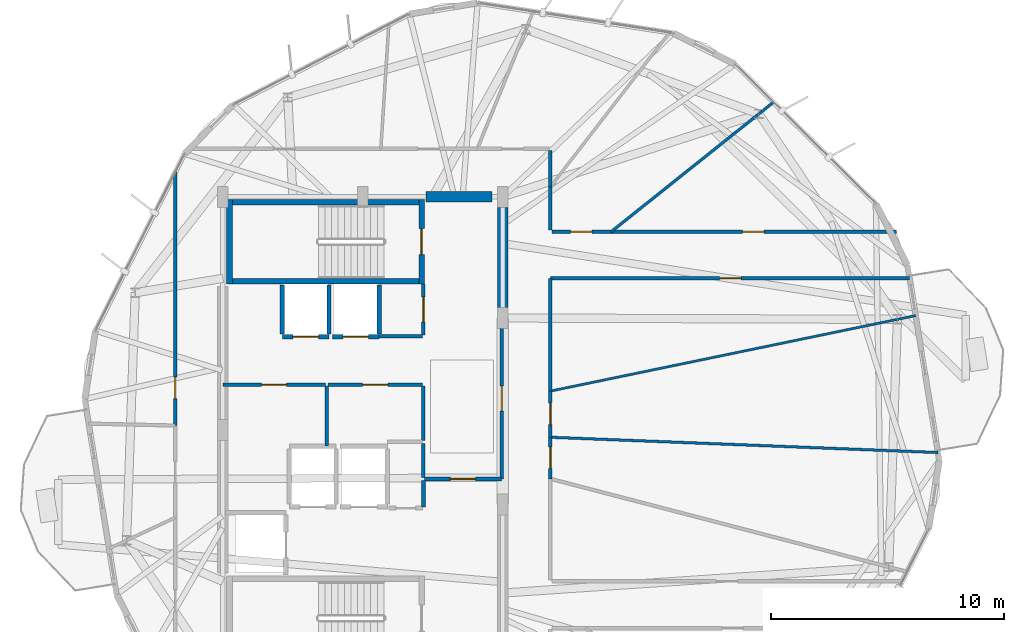
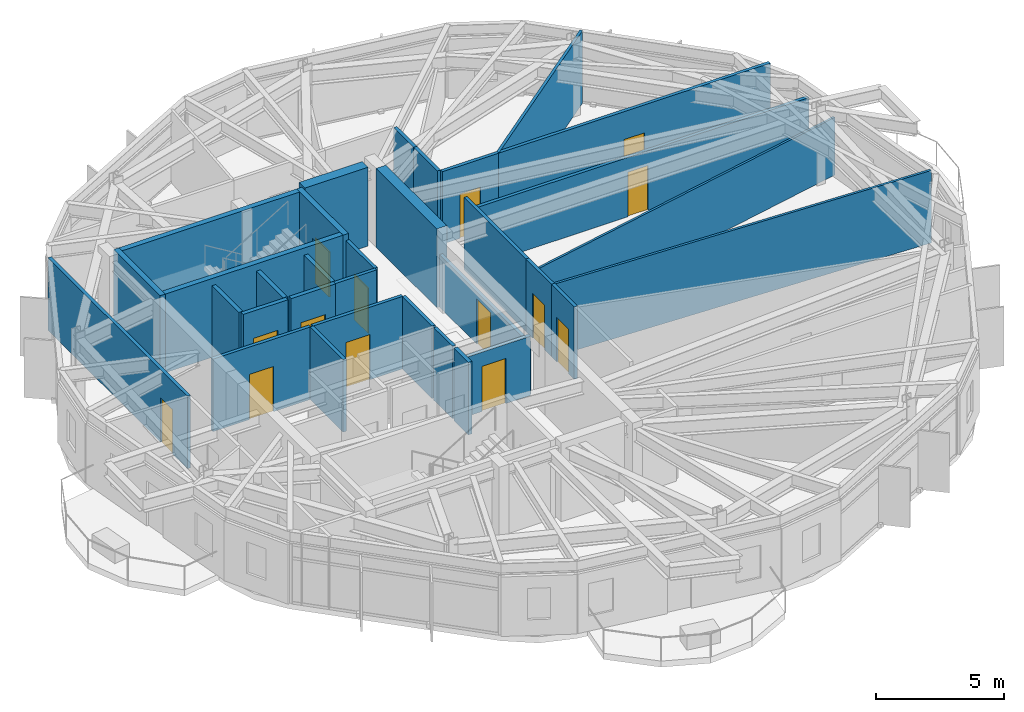
# One storey, part 18 of 22: 33 walls, 14 doors, 14 openings.
"""IFC4 building model written with IfcOpenShell, lengths in metres."""

from ifc_helpers import new_model, si_unit, direction, frame, frame_2d, origin, place, context, subcontext, project, spatial, rectangle, extrude, material, layer, layer_set, type_object, element, fill, save


model = new_model("IFC4")

# Units and contexts
model_context = context("Model", 3, precision=1e-05, world=origin(), true_north=direction((0.0, 1.0)))
body_context = subcontext(model_context, "Body", "Model", "MODEL_VIEW")
ifc_project = project(units=[si_unit("LENGTHUNIT", "METRE"), si_unit("AREAUNIT", "SQUARE_METRE"), si_unit("VOLUMEUNIT", "CUBIC_METRE"), si_unit("PLANEANGLEUNIT", "RADIAN"), si_unit("MASSUNIT", "GRAM", prefix="KILO")], contexts=[model_context])

# Site, building, storey
site_placement = place(None, origin())
site = spatial("IfcSite", under=ifc_project, at=site_placement, CompositionType="ELEMENT")
building_placement = place(site_placement, origin())
building = spatial("IfcBuilding", under=site, at=building_placement, Name="Soratama Intermodal Tower", CompositionType="ELEMENT")
storey_placement = place(building_placement, frame((0.0, 0.0, 265.0)))
storey = spatial("IfcBuildingStorey", under=building, at=storey_placement, Name="L67", CompositionType="ELEMENT", Elevation=265.0)

# Wall, opening, door
ifc_material_1 = material(Name="Fire-rated gypsum stud partition", Category="concrete")
ifc_layer_1 = layer(ifc_material_1, 0.14990234375)
ifc_layer_set_1 = layer_set([ifc_layer_1], Name="Fire-rated gypsum stud partition")
wall_type_1 = type_object("IfcWallType", Name="IW-PART-R150", PredefinedType="PARTITIONING", material=ifc_layer_set_1)
wall_1_placement = place(storey_placement, frame((62.05810546875, 31.5, 0.0), z_axis=(0.0, 0.0, 1.0), x_axis=(-1.0, 0.0, 0.0)))
wall_1 = element("IfcWall", 1, at=wall_1_placement, inside=storey, type_object=wall_type_1, Name="L67 Partition W-L67-TP004", PredefinedType="PARTITIONING", context=body_context, shape_type="SweptSolid", body=[
    extrude(rectangle(XDim=15.408203125, YDim=0.14990234375, at=frame_2d((7.7041015625, 0.0))), origin(), (0.0, 0.0, 1.0), 2.823974609375),
])
opening_1_placement = place(wall_1_placement, frame((7.22900390625, 0.0, 0.0)))
opening_1 = element("IfcOpeningElement", 2, at=opening_1_placement, cuts=wall_1, Name="Opening ID-6", PredefinedType="OPENING", context=body_context, shape_type="SweptSolid", body=[
    extrude(rectangle(XDim=0.919921875, YDim=2.1201171875, at=frame_2d((0.4599609375, 1.06005859375))), frame((0.0, 0.0849609375, 0.0), z_axis=(0.0, -1.0, 0.0), x_axis=(1.0, 0.0, 0.0)), (0.0, 0.0, 1.0), 0.169921875),
])
ifc_material_2 = material(Name="Solid hardwood acoustic door", Category="wood")
door_type_1 = type_object("IfcDoorType", Name="DR-ROOM-920", OperationType="NOTDEFINED", PredefinedType="DOOR", material=ifc_material_2)
door_1_placement = place(opening_1_placement, origin())
door_1 = element("IfcDoor", 3, at=door_1_placement, inside=storey, type_object=door_type_1, Name="L67 Door D-L67-TP001", OperationType="SINGLE_SWING_RIGHT", OverallHeight=2.1201171875, OverallWidth=0.919921875, PredefinedType="DOOR", context=body_context, shape_type="SweptSolid", body=[
    extrude(rectangle(XDim=0.919921875, YDim=2.1201171875, at=frame_2d((0.4599609375, 1.06005859375))), frame((0.0, 0.02490234375, 0.0), z_axis=(0.0, -1.0, 0.0), x_axis=(1.0, 0.0, 0.0)), (0.0, 0.0, 1.0), 0.050048828125),
])
fill(opening_1, door_1)

wall_2_placement = place(storey_placement, frame((49.25390625, 33.5, 0.0), z_axis=(0.0, 0.0, 1.0), x_axis=(1.0, 0.0, 0.0)))
wall_2 = element("IfcWall", 4, at=wall_2_placement, inside=storey, type_object=wall_type_1, Name="L67 Partition W-L67-TP007", PredefinedType="PARTITIONING", context=body_context, shape_type="SweptSolid", body=[
    extrude(rectangle(XDim=12.236083984375, YDim=0.14990234375, at=frame_2d((6.1181640625, 0.0))), origin(), (0.0, 0.0, 1.0), 3.449951171875),
])
opening_2_placement = place(wall_2_placement, frame((5.64306640625, 0.0, 0.0)))
opening_2 = element("IfcOpeningElement", 5, at=opening_2_placement, cuts=wall_2, Name="Opening ID-6", PredefinedType="OPENING", context=body_context, shape_type="SweptSolid", body=[
    extrude(rectangle(XDim=0.919921875, YDim=2.1201171875, at=frame_2d((0.4599609375, 1.06005859375))), frame((0.0, 0.0849609375, 0.0), z_axis=(0.0, -1.0, 0.0), x_axis=(1.0, 0.0, 0.0)), (0.0, 0.0, 1.0), 0.169921875),
])
door_2_placement = place(opening_2_placement, origin())
door_2 = element("IfcDoor", 6, at=door_2_placement, inside=storey, type_object=door_type_1, Name="L67 Door D-L67-TP004", OperationType="SINGLE_SWING_LEFT", OverallHeight=2.1201171875, OverallWidth=0.919921875, PredefinedType="DOOR", context=body_context, shape_type="SweptSolid", body=[
    extrude(rectangle(XDim=0.919921875, YDim=2.1201171875, at=frame_2d((0.4599609375, 1.06005859375))), frame((0.0, 0.02490234375, 0.0), z_axis=(0.0, -1.0, 0.0), x_axis=(1.0, 0.0, 0.0)), (0.0, 0.0, 1.0), 0.050048828125),
])
fill(opening_2, door_2)

wall_3_placement = place(storey_placement, frame((30.550048828125, 25.18505859375, 0.0), z_axis=(0.0, 0.0, 1.0), x_axis=(0.0, 1.0, 0.0)))
wall_3 = element("IfcWall", 7, at=wall_3_placement, inside=storey, type_object=wall_type_1, Name="L67 Partition W-L67-TP008", PredefinedType="PARTITIONING", context=body_context, shape_type="SweptSolid", body=[
    extrude(rectangle(XDim=10.869873046875, YDim=0.14990234375, at=frame_2d((5.43505859375, 0.0))), origin(), (0.0, 0.0, 1.0), 3.449951171875),
])
opening_3_placement = place(wall_3_placement, frame((1.155029296875, 0.0, 0.0)))
opening_3 = element("IfcOpeningElement", 8, at=opening_3_placement, cuts=wall_3, Name="Opening ID-6", PredefinedType="OPENING", context=body_context, shape_type="SweptSolid", body=[
    extrude(rectangle(XDim=0.919921875, YDim=2.1201171875, at=frame_2d((0.4599609375, 1.06005859375))), frame((0.0, 0.0849609375, 0.0), z_axis=(0.0, -1.0, 0.0), x_axis=(1.0, 0.0, 0.0)), (0.0, 0.0, 1.0), 0.169921875),
])
door_3_placement = place(opening_3_placement, origin())
door_3 = element("IfcDoor", 9, at=door_3_placement, inside=storey, type_object=door_type_1, Name="L67 Door D-L67-TP005", OperationType="SINGLE_SWING_RIGHT", OverallHeight=2.1201171875, OverallWidth=0.919921875, PredefinedType="DOOR", context=body_context, shape_type="SweptSolid", body=[
    extrude(rectangle(XDim=0.919921875, YDim=2.1201171875, at=frame_2d((0.4599609375, 1.06005859375))), frame((0.0, 0.02490234375, 0.0), z_axis=(0.0, -1.0, 0.0), x_axis=(1.0, 0.0, 0.0)), (0.0, 0.0, 1.0), 0.050048828125),
])
fill(opening_3, door_3)

wall_4_placement = place(storey_placement, frame((44.56005859375, 29.800048828125, 0.0), z_axis=(0.0, 0.0, 1.0), x_axis=(0.0, -1.0, 0.0)))
wall_4 = element("IfcWall", 10, at=wall_4_placement, inside=storey, type_object=wall_type_1, Name="L67 Partition W-L67-TP014", PredefinedType="PARTITIONING", context=body_context, shape_type="SweptSolid", body=[
    extrude(rectangle(XDim=6.91015625, YDim=0.14990234375, at=frame_2d((3.455078125, 0.0))), origin(), (0.0, 0.0, 1.0), 2.489990234375),
])
opening_4_placement = place(wall_4_placement, frame((2.9150390625, 0.0, 0.0)))
opening_4 = element("IfcOpeningElement", 11, at=opening_4_placement, cuts=wall_4, Name="Opening ID-1", PredefinedType="OPENING", context=body_context, shape_type="SweptSolid", body=[
    extrude(rectangle(XDim=1.080078125, YDim=2.14990234375, at=frame_2d((0.5400390625, 1.074951171875))), frame((0.0, 0.0849609375, 0.0), z_axis=(0.0, -1.0, 0.0), x_axis=(1.0, 0.0, 0.0)), (0.0, 0.0, 1.0), 0.169921875),
])
ifc_material_3 = material(Name="Solid hardwood acoustic door", Category="wood")
door_type_2 = type_object("IfcDoorType", Name="DR-LOB-FD60", OperationType="NOTDEFINED", PredefinedType="DOOR", material=ifc_material_3)
door_4_placement = place(opening_4_placement, origin())
door_4 = element("IfcDoor", 12, at=door_4_placement, inside=storey, type_object=door_type_2, Name="L67 Door D-L67-TP008", OperationType="SINGLE_SWING_LEFT", OverallHeight=2.14990234375, OverallWidth=1.080078125, PredefinedType="DOOR", context=body_context, shape_type="SweptSolid", body=[
    extrude(rectangle(XDim=1.080078125, YDim=2.14990234375, at=frame_2d((0.5400390625, 1.074951171875))), frame((0.0, 0.02490234375, 0.0), z_axis=(0.0, -1.0, 0.0), x_axis=(1.0, 0.0, 0.0)), (0.0, 0.0, 1.0), 0.050048828125),
])
fill(opening_4, door_4)

# Wall
wall_5_placement = place(storey_placement, frame((46.64990234375, 31.5, 0.0), z_axis=(0.0, 0.0, 1.0), x_axis=(0.0, -1.0, 0.0)))
element("IfcWall", 13, at=wall_5_placement, inside=storey, type_object=wall_type_1, Name="L67 Partition W-L67-TP017", PredefinedType="PARTITIONING", context=body_context, shape_type="SweptSolid", body=[
    extrude(rectangle(XDim=4.8359375, YDim=0.14990234375, at=frame_2d((2.41796875, 0.0))), origin(), (0.0, 0.0, 1.0), 3.449951171875),
])

# Wall, opening, door
wall_6_placement = place(storey_placement, frame((36.989990234375, 26.93994140625, 0.0), z_axis=(0.0, 0.0, 1.0), x_axis=(-1.0, 0.0, 0.0)))
wall_6 = element("IfcWall", 14, at=wall_6_placement, inside=storey, type_object=wall_type_1, Name="L67 Partition W-L67-TP018", PredefinedType="PARTITIONING", context=body_context, shape_type="SweptSolid", body=[
    extrude(rectangle(XDim=4.389892578125, YDim=0.14990234375, at=frame_2d((2.19482421875, 0.0))), origin(), (0.0, 0.0, 1.0), 3.449951171875),
])
opening_5_placement = place(wall_6_placement, frame((1.655029296875, 0.0, 0.0)))
opening_5 = element("IfcOpeningElement", 15, at=opening_5_placement, cuts=wall_6, Name="Opening ID-1", PredefinedType="OPENING", context=body_context, shape_type="SweptSolid", body=[
    extrude(rectangle(XDim=1.080078125, YDim=2.14990234375, at=frame_2d((0.5400390625, 1.074951171875))), frame((0.0, 0.0849609375, 0.0), z_axis=(0.0, -1.0, 0.0), x_axis=(1.0, 0.0, 0.0)), (0.0, 0.0, 1.0), 0.169921875),
])
door_5_placement = place(opening_5_placement, origin())
door_5 = element("IfcDoor", 16, at=door_5_placement, inside=storey, type_object=door_type_2, Name="L67 Door D-L67-TP009", OperationType="SINGLE_SWING_RIGHT", OverallHeight=2.14990234375, OverallWidth=1.080078125, PredefinedType="DOOR", context=body_context, shape_type="SweptSolid", body=[
    extrude(rectangle(XDim=1.080078125, YDim=2.14990234375, at=frame_2d((0.5400390625, 1.074951171875))), frame((0.0, 0.02490234375, 0.0), z_axis=(0.0, -1.0, 0.0), x_axis=(1.0, 0.0, 0.0)), (0.0, 0.0, 1.0), 0.050048828125),
])
fill(opening_5, door_5)

wall_7_placement = place(storey_placement, frame((41.159912109375, 26.93994140625, 0.0), z_axis=(0.0, 0.0, 1.0), x_axis=(-1.0, 0.0, 0.0)))
wall_7 = element("IfcWall", 17, at=wall_7_placement, inside=storey, type_object=wall_type_1, Name="L67 Partition W-L67-TP021", PredefinedType="PARTITIONING", context=body_context, shape_type="SweptSolid", body=[
    extrude(rectangle(XDim=4.0498046875, YDim=0.14990234375, at=frame_2d((2.02490234375, 0.0))), origin(), (0.0, 0.0, 1.0), 3.449951171875),
])
opening_6_placement = place(wall_7_placement, frame((1.485107421875, 0.0, 0.0)))
opening_6 = element("IfcOpeningElement", 18, at=opening_6_placement, cuts=wall_7, Name="Opening ID-1", PredefinedType="OPENING", context=body_context, shape_type="SweptSolid", body=[
    extrude(rectangle(XDim=1.080078125, YDim=2.14990234375, at=frame_2d((0.5400390625, 1.074951171875))), frame((0.0, 0.0849609375, 0.0), z_axis=(0.0, -1.0, 0.0), x_axis=(1.0, 0.0, 0.0)), (0.0, 0.0, 1.0), 0.169921875),
])
door_6_placement = place(opening_6_placement, origin())
door_6 = element("IfcDoor", 19, at=door_6_placement, inside=storey, type_object=door_type_2, Name="L67 Door D-L67-TP011", OperationType="SINGLE_SWING_RIGHT", OverallHeight=2.14990234375, OverallWidth=1.080078125, PredefinedType="DOOR", context=body_context, shape_type="SweptSolid", body=[
    extrude(rectangle(XDim=1.080078125, YDim=2.14990234375, at=frame_2d((0.5400390625, 1.074951171875))), frame((0.0, 0.02490234375, 0.0), z_axis=(0.0, -1.0, 0.0), x_axis=(1.0, 0.0, 0.0)), (0.0, 0.0, 1.0), 0.050048828125),
])
fill(opening_6, door_6)

# Wall
wall_8_placement = place(storey_placement, frame((37.050048828125, 26.8798828125, 0.0), z_axis=(0.0, 0.0, 1.0), x_axis=(0.0, -1.0, 0.0)))
element("IfcWall", 20, at=wall_8_placement, inside=storey, type_object=wall_type_1, Name="L67 Partition W-L67-TP028", PredefinedType="PARTITIONING", context=body_context, shape_type="SweptSolid", body=[
    extrude(rectangle(XDim=2.579833984375, YDim=0.14990234375, at=frame_2d((1.2900390625, 0.0))), origin(), (0.0, 0.0, 1.0), 3.449951171875),
])

# Wall, opening, door
wall_9_placement = place(storey_placement, frame((46.719970703125, 33.5, 0.0), z_axis=(0.0, 0.0, 1.0), x_axis=(1.0, 0.0, 0.0)))
wall_9 = element("IfcWall", 21, at=wall_9_placement, inside=storey, type_object=wall_type_1, Name="L67 Partition W-L67-TP029", PredefinedType="PARTITIONING", context=body_context, shape_type="SweptSolid", body=[
    extrude(rectangle(XDim=2.533935546875, YDim=0.14990234375, at=frame_2d((1.26708984375, 0.0))), origin(), (0.0, 0.0, 1.0), 3.449951171875),
])
opening_7_placement = place(wall_9_placement, frame((0.7919921875, 0.0, 0.0)))
opening_7 = element("IfcOpeningElement", 22, at=opening_7_placement, cuts=wall_9, Name="Opening ID-6", PredefinedType="OPENING", context=body_context, shape_type="SweptSolid", body=[
    extrude(rectangle(XDim=0.919921875, YDim=2.1201171875, at=frame_2d((0.4599609375, 1.06005859375))), frame((0.0, 0.0849609375, 0.0), z_axis=(0.0, -1.0, 0.0), x_axis=(1.0, 0.0, 0.0)), (0.0, 0.0, 1.0), 0.169921875),
])
door_7_placement = place(opening_7_placement, origin())
door_7 = element("IfcDoor", 23, at=door_7_placement, inside=storey, type_object=door_type_1, Name="L67 Door D-L67-TP015", OperationType="SINGLE_SWING_RIGHT", OverallHeight=2.1201171875, OverallWidth=0.919921875, PredefinedType="DOOR", context=body_context, shape_type="SweptSolid", body=[
    extrude(rectangle(XDim=0.919921875, YDim=2.1201171875, at=frame_2d((0.4599609375, 1.06005859375))), frame((0.0, 0.02490234375, 0.0), z_axis=(0.0, -1.0, 0.0), x_axis=(1.0, 0.0, 0.0)), (0.0, 0.0, 1.0), 0.050048828125),
])
fill(opening_7, door_7)

# Wall
wall_10_placement = place(storey_placement, frame((41.199951171875, 24.550048828125, 0.0), z_axis=(0.0, 0.0, 1.0), x_axis=(0.0, 1.0, 0.0)))
element("IfcWall", 24, at=wall_10_placement, inside=storey, type_object=wall_type_1, Name="L67 Partition W-L67-TP030", PredefinedType="PARTITIONING", context=body_context, shape_type="SweptSolid", body=[
    extrude(rectangle(XDim=2.329833984375, YDim=0.14990234375, at=frame_2d((1.1650390625, 0.0))), origin(), (0.0, 0.0, 1.0), 3.449951171875),
])

# Wall, opening, door
wall_11_placement = place(storey_placement, frame((41.199951171875, 29.070068359375, 0.0), z_axis=(0.0, 0.0, 1.0), x_axis=(0.0, 1.0, 0.0)))
wall_11 = element("IfcWall", 25, at=wall_11_placement, inside=storey, type_object=wall_type_1, Name="L67 Partition W-L67-TP031", PredefinedType="PARTITIONING", context=body_context, shape_type="SweptSolid", body=[
    extrude(rectangle(XDim=2.18994140625, YDim=0.14990234375, at=frame_2d((1.094970703125, 0.0))), origin(), (0.0, 0.0, 1.0), 3.449951171875),
])
opening_8_placement = place(wall_11_placement, frame((0.554931640625, 0.0, 0.0)))
opening_8 = element("IfcOpeningElement", 26, at=opening_8_placement, cuts=wall_11, Name="Opening ID-1", PredefinedType="OPENING", context=body_context, shape_type="SweptSolid", body=[
    extrude(rectangle(XDim=1.080078125, YDim=2.14990234375, at=frame_2d((0.5400390625, 1.074951171875))), frame((0.0, 0.0849609375, 0.0), z_axis=(0.0, -1.0, 0.0), x_axis=(1.0, 0.0, 0.0)), (0.0, 0.0, 1.0), 0.169921875),
])
door_8_placement = place(opening_8_placement, origin())
door_8 = element("IfcDoor", 27, at=door_8_placement, inside=storey, type_object=door_type_2, Name="L67 Door D-L67-TP016", OperationType="SINGLE_SWING_LEFT", OverallHeight=2.14990234375, OverallWidth=1.080078125, PredefinedType="DOOR", context=body_context, shape_type="SweptSolid", body=[
    extrude(rectangle(XDim=1.080078125, YDim=2.14990234375, at=frame_2d((0.5400390625, 1.074951171875))), frame((0.0, 0.02490234375, 0.0), z_axis=(0.0, -1.0, 0.0), x_axis=(1.0, 0.0, 0.0)), (0.0, 0.0, 1.0), 0.050048828125),
])
fill(opening_8, door_8)

wall_12_placement = place(storey_placement, frame((46.64990234375, 26.6640625, 0.0), z_axis=(0.0, 0.0, 1.0), x_axis=(0.0, -1.0, 0.0)))
wall_12 = element("IfcWall", 28, at=wall_12_placement, inside=storey, type_object=wall_type_1, Name="L67 Partition W-L67-TP032", PredefinedType="PARTITIONING", context=body_context, shape_type="SweptSolid", body=[
    extrude(rectangle(XDim=1.98095703125, YDim=0.14990234375, at=frame_2d((0.990478515625, 0.0))), origin(), (0.0, 0.0, 1.0), 3.449951171875),
])
opening_9_placement = place(wall_12_placement, frame((0.51611328125, 0.0, 0.0)))
opening_9 = element("IfcOpeningElement", 29, at=opening_9_placement, cuts=wall_12, Name="Opening ID-6", PredefinedType="OPENING", context=body_context, shape_type="SweptSolid", body=[
    extrude(rectangle(XDim=0.919921875, YDim=2.1201171875, at=frame_2d((0.4599609375, 1.06005859375))), frame((0.0, 0.0849609375, 0.0), z_axis=(0.0, -1.0, 0.0), x_axis=(1.0, 0.0, 0.0)), (0.0, 0.0, 1.0), 0.169921875),
])
door_9_placement = place(opening_9_placement, origin())
door_9 = element("IfcDoor", 30, at=door_9_placement, inside=storey, type_object=door_type_1, Name="L67 Door D-L67-TP017", OperationType="SINGLE_SWING_RIGHT", OverallHeight=2.1201171875, OverallWidth=0.919921875, PredefinedType="DOOR", context=body_context, shape_type="SweptSolid", body=[
    extrude(rectangle(XDim=0.919921875, YDim=2.1201171875, at=frame_2d((0.4599609375, 1.06005859375))), frame((0.0, 0.02490234375, 0.0), z_axis=(0.0, -1.0, 0.0), x_axis=(1.0, 0.0, 0.0)), (0.0, 0.0, 1.0), 0.050048828125),
])
fill(opening_9, door_9)

# Walls
wall_13_placement = place(storey_placement, frame((39.300048828125, 29.010009765625, 0.0), z_axis=(0.0, 0.0, 1.0), x_axis=(1.0, 0.0, 0.0)))
element("IfcWall", 31, at=wall_13_placement, inside=storey, type_object=wall_type_1, Name="L67 Partition W-L67-TP034", PredefinedType="PARTITIONING", context=body_context, shape_type="SweptSolid", body=[
    extrude(rectangle(XDim=1.85986328125, YDim=0.14990234375, at=frame_2d((0.929931640625, 0.0))), origin(), (0.0, 0.0, 1.0), 3.449951171875),
])
wall_14_placement = place(storey_placement, frame((46.64990234375, 35.428955078125, 0.0), z_axis=(0.0, 0.0, 1.0), x_axis=(0.0, -1.0, 0.0)))
element("IfcWall", 32, at=wall_14_placement, inside=storey, type_object=wall_type_1, Name="L67 Partition W-L67-TP035", PredefinedType="PARTITIONING", context=body_context, shape_type="SweptSolid", body=[
    extrude(rectangle(XDim=1.85888671875, YDim=0.14990234375, at=frame_2d((0.929443359375, 0.0))), origin(), (0.0, 0.0, 1.0), 3.449951171875),
])

# Wall, opening, door
wall_15_placement = place(storey_placement, frame((46.64990234375, 24.68310546875, 0.0), z_axis=(0.0, 0.0, 1.0), x_axis=(0.0, -1.0, 0.0)))
wall_15 = element("IfcWall", 33, at=wall_15_placement, inside=storey, type_object=wall_type_1, Name="L67 Partition W-L67-TP036", PredefinedType="PARTITIONING", context=body_context, shape_type="SweptSolid", body=[
    extrude(rectangle(XDim=1.7822265625, YDim=0.14990234375, at=frame_2d((0.89111328125, 0.0))), origin(), (0.0, 0.0, 1.0), 3.449951171875),
])
opening_10_placement = place(wall_15_placement, frame((0.416015625, 0.0, 0.0)))
opening_10 = element("IfcOpeningElement", 34, at=opening_10_placement, cuts=wall_15, Name="Opening ID-6", PredefinedType="OPENING", context=body_context, shape_type="SweptSolid", body=[
    extrude(rectangle(XDim=0.919921875, YDim=2.1201171875, at=frame_2d((0.4599609375, 1.06005859375))), frame((0.0, 0.0849609375, 0.0), z_axis=(0.0, -1.0, 0.0), x_axis=(1.0, 0.0, 0.0)), (0.0, 0.0, 1.0), 0.169921875),
])
door_10_placement = place(opening_10_placement, origin())
door_10 = element("IfcDoor", 35, at=door_10_placement, inside=storey, type_object=door_type_1, Name="L67 Door D-L67-TP018", OperationType="SINGLE_SWING_LEFT", OverallHeight=2.1201171875, OverallWidth=0.919921875, PredefinedType="DOOR", context=body_context, shape_type="SweptSolid", body=[
    extrude(rectangle(XDim=0.919921875, YDim=2.1201171875, at=frame_2d((0.4599609375, 1.06005859375))), frame((0.0, 0.02490234375, 0.0), z_axis=(0.0, -1.0, 0.0), x_axis=(1.0, 0.0, 0.0)), (0.0, 0.0, 1.0), 0.050048828125),
])
fill(opening_10, door_10)

# Walls
wall_16_placement = place(storey_placement, frame((46.64990234375, 36.97998046875, 0.0), z_axis=(0.0, 0.0, 1.0), x_axis=(0.0, -1.0, 0.0)))
element("IfcWall", 36, at=wall_16_placement, inside=storey, type_object=wall_type_1, Name="L67 Partition W-L67-TP037", PredefinedType="PARTITIONING", context=body_context, shape_type="SweptSolid", body=[
    extrude(rectangle(XDim=1.551025390625, YDim=0.14990234375, at=frame_2d((0.775390625, 0.0))), origin(), (0.0, 0.0, 1.0), 3.449951171875),
])
wall_17_placement = place(storey_placement, frame((41.199951171875, 22.9599609375, 0.0), z_axis=(0.0, 0.0, 1.0), x_axis=(0.0, 1.0, 0.0)))
element("IfcWall", 37, at=wall_17_placement, inside=storey, type_object=wall_type_1, Name="L67 Partition W-L67-TP039", PredefinedType="PARTITIONING", context=body_context, shape_type="SweptSolid", body=[
    extrude(rectangle(XDim=1.4599609375, YDim=0.14990234375, at=frame_2d((0.72998046875, 0.0))), origin(), (0.0, 0.0, 1.0), 3.449951171875),
])

# Wall, opening, door
ifc_material_4 = material(Name="Fire-rated gypsum stud partition", Category="concrete")
ifc_layer_2 = layer(ifc_material_4, 0.169921875)
ifc_layer_set_2 = layer_set([ifc_layer_2], Name="Fire-rated gypsum stud partition")
wall_type_2 = type_object("IfcWallType", Name="IW-PART-R170", PredefinedType="PARTITIONING", material=ifc_layer_set_2)
wall_18_placement = place(storey_placement, frame((41.239990234375, 22.889892578125, 0.0), z_axis=(0.0, 0.0, 1.0), x_axis=(1.0, 0.0, 0.0)))
wall_18 = element("IfcWall", 38, at=wall_18_placement, inside=storey, type_object=wall_type_2, Name="L67 Partition W-L67-TP024", PredefinedType="PARTITIONING", context=body_context, shape_type="SweptSolid", body=[
    extrude(rectangle(XDim=3.320068359375, YDim=0.169921875, at=frame_2d((1.66015625, 0.0))), origin(), (0.0, 0.0, 1.0), 2.823974609375),
])
opening_11_placement = place(wall_18_placement, frame((1.1201171875, 0.0, 0.0)))
opening_11 = element("IfcOpeningElement", 39, at=opening_11_placement, cuts=wall_18, Name="Opening ID-0", PredefinedType="OPENING", context=body_context, shape_type="SweptSolid", body=[
    extrude(rectangle(XDim=1.080078125, YDim=2.14990234375, at=frame_2d((0.5400390625, 1.074951171875))), frame((0.0, 0.094970703125, 0.0), z_axis=(0.0, -1.0, 0.0), x_axis=(1.0, 0.0, 0.0)), (0.0, 0.0, 1.0), 0.18994140625),
])
ifc_material_5 = material(Name="Solid hardwood acoustic door", Category="wood")
door_type_3 = type_object("IfcDoorType", Name="DR-LOB-FD90", OperationType="NOTDEFINED", PredefinedType="DOOR", material=ifc_material_5)
door_11_placement = place(opening_11_placement, origin())
door_11 = element("IfcDoor", 40, at=door_11_placement, inside=storey, type_object=door_type_3, Name="L67 Door D-L67-TP013", OperationType="SINGLE_SWING_RIGHT", OverallHeight=2.14990234375, OverallWidth=1.080078125, PredefinedType="DOOR", context=body_context, shape_type="SweptSolid", body=[
    extrude(rectangle(XDim=1.080078125, YDim=2.14990234375, at=frame_2d((0.5400390625, 1.074951171875))), frame((0.0, 0.02490234375, 0.0), z_axis=(0.0, -1.0, 0.0), x_axis=(1.0, 0.0, 0.0)), (0.0, 0.0, 1.0), 0.050048828125),
])
fill(opening_11, door_11)

# Walls
wall_19_placement = place(storey_placement, frame((41.199951171875, 21.699951171875, 0.0), z_axis=(0.0, 0.0, 1.0), x_axis=(0.0, 1.0, 0.0)))
element("IfcWall", 41, at=wall_19_placement, inside=storey, type_object=wall_type_2, Name="L67 Partition W-L67-TP043", PredefinedType="PARTITIONING", context=body_context, shape_type="SweptSolid", body=[
    extrude(rectangle(XDim=1.1201171875, YDim=0.169921875, at=frame_2d((0.56005859375, 0.0))), origin(), (0.0, 0.0, 1.0), 3.449951171875),
])
ifc_material_6 = material(Name="Fire-rated gypsum stud partition", Category="concrete")
ifc_layer_3 = layer(ifc_material_6, 0.10009765625)
ifc_layer_set_3 = layer_set([ifc_layer_3], Name="Fire-rated gypsum stud partition")
wall_type_3 = type_object("IfcWallType", Name="IW-PART-S100", PredefinedType="PARTITIONING", material=ifc_layer_set_3)
wall_20_placement = place(storey_placement, frame((46.64990234375, 26.6640625, 0.0), z_axis=(0.0, 0.0, 1.0), x_axis=(0.97929058144, 0.202459766627, 0.0)))
element("IfcWall", 42, at=wall_20_placement, inside=storey, type_object=wall_type_3, Name="L67 Partition W-L67-TP002", PredefinedType="PARTITIONING", context=body_context, shape_type="SweptSolid", body=[
    extrude(rectangle(XDim=15.998291015625, YDim=0.10009765625, at=frame_2d((7.9990234375, 0.0))), origin(), (0.0, 0.0, 1.0), 2.7451171875),
])
ifc_material_7 = material(Name="Fire-rated gypsum stud partition", Category="concrete")
ifc_layer_4 = layer(ifc_material_7, 0.110107421875)
ifc_layer_set_4 = layer_set([ifc_layer_4], Name="Fire-rated gypsum stud partition")
wall_type_4 = type_object("IfcWallType", Name="IW-PART-S110", PredefinedType="PARTITIONING", material=ifc_layer_set_4)
wall_21_placement = place(storey_placement, frame((63.27294921875, 24.028076171875, 0.0), z_axis=(0.0, 0.0, 1.0), x_axis=(-0.999224530372, 0.039374330499, 0.0)))
element("IfcWall", 43, at=wall_21_placement, inside=storey, type_object=wall_type_4, Name="L67 Partition W-L67-TP001", PredefinedType="PARTITIONING", context=body_context, shape_type="SweptSolid", body=[
    extrude(rectangle(XDim=16.635986328125, YDim=0.110107421875, at=frame_2d((8.31787109375, 0.0))), origin(), (0.0, 0.0, 1.0), 3.449951171875),
])
ifc_material_8 = material(Name="Fire-rated gypsum stud partition", Category="concrete")
ifc_layer_5 = layer(ifc_material_8, 0.1201171875)
ifc_layer_set_5 = layer_set([ifc_layer_5], Name="Fire-rated gypsum stud partition")
wall_type_5 = type_object("IfcWallType", Name="IW-PART-S120", PredefinedType="PARTITIONING", material=ifc_layer_set_5)
wall_22_placement = place(storey_placement, frame((49.25390625, 33.5, 0.0), z_axis=(0.0, 0.0, 1.0), x_axis=(0.781710283579, 0.623641750163, 0.0)))
element("IfcWall", 44, at=wall_22_placement, inside=storey, type_object=wall_type_5, Name="L67 Partition W-L67-TP010", PredefinedType="PARTITIONING", context=body_context, shape_type="SweptSolid", body=[
    extrude(rectangle(XDim=8.908935546875, YDim=0.1201171875, at=frame_2d((4.45458984375, 0.0))), origin(), (0.0, 0.0, 1.0), 3.449951171875),
])

# Wall, opening, door
ifc_material_9 = material(Name="Concrete f'c 42 MPa", Category="concrete")
ifc_layer_6 = layer(ifc_material_9, 0.18505859375)
ifc_layer_set_6 = layer_set([ifc_layer_6], Name="Concrete f'c 42 MPa")
wall_type_6 = type_object("IfcWallType", Name="IW-SHAFT-185", PredefinedType="SOLIDWALL", material=ifc_layer_set_6)
wall_23_placement = place(storey_placement, frame((35.14990234375, 29.0, 0.0), z_axis=(0.0, 0.0, 1.0), x_axis=(1.0, 0.0, 0.0)))
wall_23 = element("IfcWall", 45, at=wall_23_placement, inside=storey, type_object=wall_type_6, Name="L67 PL-H1 Hoistway Wall S", PredefinedType="SOLIDWALL", context=body_context, shape_type="SweptSolid", body=[
    extrude(rectangle(XDim=2.0, YDim=0.18505859375, at=frame_2d((1.0, 0.0))), origin(), (0.0, 0.0, 1.0), 3.449951171875),
])
opening_12_placement = place(wall_23_placement, frame((0.449951171875, 0.0, 0.0)))
opening_12 = element("IfcOpeningElement", 46, at=opening_12_placement, cuts=wall_23, Name="Opening LD-1", PredefinedType="OPENING", context=body_context, shape_type="SweptSolid", body=[
    extrude(rectangle(XDim=1.10009765625, YDim=2.14990234375, at=frame_2d((0.550048828125, 1.074951171875))), frame((0.0, 0.1025390625, 0.0), z_axis=(0.0, -1.0, 0.0), x_axis=(1.0, 0.0, 0.0)), (0.0, 0.0, 1.0), 0.205078125),
])
ifc_material_10 = material(Name="Steel fire door", Category="steel")
door_type_4 = type_object("IfcDoorType", Name="DR-LIFT-SLIDE", OperationType="NOTDEFINED", PredefinedType="DOOR", material=ifc_material_10)
door_12_placement = place(opening_12_placement, origin())
door_12 = element("IfcDoor", 47, at=door_12_placement, inside=storey, type_object=door_type_4, Name="L67 PL-H1 Sliding Landing Door", OperationType="SLIDING_TO_LEFT", OverallHeight=2.14990234375, OverallWidth=1.10009765625, PredefinedType="DOOR", context=body_context, shape_type="SweptSolid", body=[
    extrude(rectangle(XDim=1.10009765625, YDim=2.14990234375, at=frame_2d((0.550048828125, 1.074951171875))), frame((0.0, 0.02490234375, 0.0), z_axis=(0.0, -1.0, 0.0), x_axis=(1.0, 0.0, 0.0)), (0.0, 0.0, 1.0), 0.050048828125),
])
fill(opening_12, door_12)

# Walls
for number, where, z_axis, x_axis, name in (
    (48, (35.14990234375, 29.110107421875, 0.0), (0.0, 0.0, 1.0), (0.0, 1.0, 0.0), "L67 PL-H1 Hoistway Wall W"),
    (49, (37.14990234375, 29.110107421875, 0.0), (0.0, 0.0, 1.0), (0.0, 1.0, 0.0), "L67 PL-H1 Hoistway Wall E"),
):
    element("IfcWall", number, at=place(storey_placement, frame(where, z_axis=z_axis, x_axis=x_axis)), inside=storey, type_object=wall_type_6, Name=name, PredefinedType="SOLIDWALL", context=body_context, shape_type="SweptSolid", body=[
        extrude(rectangle(XDim=2.099853515625, YDim=0.18505859375, at=frame_2d((1.0498046875, 0.0))), origin(), (0.0, 0.0, 1.0), 3.449951171875),
    ])

# Wall, opening, door
wall_24_placement = place(storey_placement, frame((37.300048828125, 29.0, 0.0), z_axis=(0.0, 0.0, 1.0), x_axis=(1.0, 0.0, 0.0)))
wall_24 = element("IfcWall", 50, at=wall_24_placement, inside=storey, type_object=wall_type_6, Name="L67 PL-H2 Hoistway Wall S", PredefinedType="SOLIDWALL", context=body_context, shape_type="SweptSolid", body=[
    extrude(rectangle(XDim=2.0, YDim=0.18505859375, at=frame_2d((1.0, 0.0))), origin(), (0.0, 0.0, 1.0), 3.449951171875),
])
opening_13_placement = place(wall_24_placement, frame((0.449951171875, 0.0, 0.0)))
opening_13 = element("IfcOpeningElement", 51, at=opening_13_placement, cuts=wall_24, Name="Opening LD-1", PredefinedType="OPENING", context=body_context, shape_type="SweptSolid", body=[
    extrude(rectangle(XDim=1.10009765625, YDim=2.14990234375, at=frame_2d((0.550048828125, 1.074951171875))), frame((0.0, 0.1025390625, 0.0), z_axis=(0.0, -1.0, 0.0), x_axis=(1.0, 0.0, 0.0)), (0.0, 0.0, 1.0), 0.205078125),
])
door_13_placement = place(opening_13_placement, origin())
door_13 = element("IfcDoor", 52, at=door_13_placement, inside=storey, type_object=door_type_4, Name="L67 PL-H2 Sliding Landing Door", OperationType="SLIDING_TO_LEFT", OverallHeight=2.14990234375, OverallWidth=1.10009765625, PredefinedType="DOOR", context=body_context, shape_type="SweptSolid", body=[
    extrude(rectangle(XDim=1.10009765625, YDim=2.14990234375, at=frame_2d((0.550048828125, 1.074951171875))), frame((0.0, 0.02490234375, 0.0), z_axis=(0.0, -1.0, 0.0), x_axis=(1.0, 0.0, 0.0)), (0.0, 0.0, 1.0), 0.050048828125),
])
fill(opening_13, door_13)

# Walls
wall_25_placement = place(storey_placement, frame((39.300048828125, 29.110107421875, 0.0), z_axis=(0.0, 0.0, 1.0), x_axis=(0.0, 1.0, 0.0)))
element("IfcWall", 53, at=wall_25_placement, inside=storey, type_object=wall_type_6, Name="L67 PL-H2 Hoistway Wall E", PredefinedType="SOLIDWALL", context=body_context, shape_type="SweptSolid", body=[
    extrude(rectangle(XDim=2.099853515625, YDim=0.18505859375, at=frame_2d((1.0498046875, 0.0))), origin(), (0.0, 0.0, 1.0), 3.449951171875),
])
ifc_material_11 = material(Name="Concrete f'c 56 MPa", Category="concrete")
ifc_layer_7 = layer(ifc_material_11, 0.449951171875)
ifc_layer_set_7 = layer_set([ifc_layer_7], Name="Concrete f'c 56 MPa")
wall_type_7 = type_object("IfcWallType", Name="SW-CORE-450", PredefinedType="SHEAR", material=ifc_layer_set_7)
wall_26_placement = place(storey_placement, frame((41.300048828125, 35.0, 0.0), z_axis=(0.0, 0.0, 1.0), x_axis=(1.0, 0.0, 0.0)))
element("IfcWall", 54, at=wall_26_placement, inside=storey, type_object=wall_type_7, Name="L67 Core Shear Wall CW-NE", PredefinedType="SHEAR", context=body_context, shape_type="SweptSolid", body=[
    extrude(rectangle(XDim=2.849853515625, YDim=0.449951171875, at=frame_2d((1.4248046875, 0.0))), origin(), (0.0, 0.0, 1.0), 3.75),
])
wall_27_placement = place(storey_placement, frame((44.60009765625, 29.800048828125, 0.0), z_axis=(0.0, 0.0, 1.0), x_axis=(0.0, 1.0, 0.0)))
element("IfcWall", 55, at=wall_27_placement, inside=storey, type_object=wall_type_7, Name="L67 Core Shear Wall CW-EN", PredefinedType="SHEAR", context=body_context, shape_type="SweptSolid", body=[
    extrude(rectangle(XDim=4.75, YDim=0.449951171875, at=frame_2d((2.375, 0.0))), origin(), (0.0, 0.0, 1.0), 3.75),
])
ifc_material_12 = material(Name="Concrete f'c 56 MPa", Category="concrete")
ifc_layer_8 = layer(ifc_material_12, 0.239990234375)
ifc_layer_set_8 = layer_set([ifc_layer_8], Name="Concrete f'c 56 MPa")
wall_type_8 = type_object("IfcWallType", Name="SW-STAIR-240", PredefinedType="SHEAR", material=ifc_layer_set_8)
wall_28_placement = place(storey_placement, frame((32.8798828125, 31.260009765625, 0.0), z_axis=(0.0, 0.0, 1.0), x_axis=(0.0, 1.0, 0.0)))
element("IfcWall", 56, at=wall_28_placement, inside=storey, type_object=wall_type_8, Name="L67 ST-2 Shaft Shear Wall W", PredefinedType="SHEAR", context=body_context, shape_type="SweptSolid", body=[
    extrude(rectangle(XDim=3.6298828125, YDim=0.239990234375, at=frame_2d((1.81494140625, 0.0))), origin(), (0.0, 0.0, 1.0), 3.75),
])

# Wall, opening, door
wall_29_placement = place(storey_placement, frame((41.1201171875, 31.260009765625, 0.0), z_axis=(0.0, 0.0, 1.0), x_axis=(0.0, 1.0, 0.0)))
wall_29 = element("IfcWall", 57, at=wall_29_placement, inside=storey, type_object=wall_type_8, Name="L67 ST-2 Shaft Shear Wall E", PredefinedType="SHEAR", context=body_context, shape_type="SweptSolid", body=[
    extrude(rectangle(XDim=3.6298828125, YDim=0.239990234375, at=frame_2d((1.81494140625, 0.0))), origin(), (0.0, 0.0, 1.0), 3.75),
])
opening_14_placement = place(wall_29_placement, frame((1.2548828125, 0.0, 0.0)))
opening_14 = element("IfcOpeningElement", 58, at=opening_14_placement, cuts=wall_29, Name="Opening SD-1", PredefinedType="OPENING", context=body_context, shape_type="SweptSolid", body=[
    extrude(rectangle(XDim=1.1201171875, YDim=2.14990234375, at=frame_2d((0.56005859375, 1.074951171875))), frame((0.0, 0.1298828125, 0.0), z_axis=(0.0, -1.0, 0.0), x_axis=(1.0, 0.0, 0.0)), (0.0, 0.0, 1.0), 0.260009765625),
])
ifc_material_13 = material(Name="Steel fire door", Category="steel")
door_type_5 = type_object("IfcDoorType", Name="DR-STAIR-FD90", OperationType="NOTDEFINED", PredefinedType="DOOR", material=ifc_material_13)
door_14_placement = place(opening_14_placement, origin())
door_14 = element("IfcDoor", 59, at=door_14_placement, inside=storey, type_object=door_type_5, Name="L67 ST-2 Exit Stair Door", OperationType="SINGLE_SWING_RIGHT", OverallHeight=2.14990234375, OverallWidth=1.1201171875, PredefinedType="DOOR", context=body_context, shape_type="SweptSolid", body=[
    extrude(rectangle(XDim=1.1201171875, YDim=2.14990234375, at=frame_2d((0.56005859375, 1.074951171875))), frame((0.0, 0.02490234375, 0.0), z_axis=(0.0, -1.0, 0.0), x_axis=(1.0, 0.0, 0.0)), (0.0, 0.0, 1.0), 0.050048828125),
])
fill(opening_14, door_14)

# Walls
for number, where, z_axis, x_axis, name in (
    (60, (33.0, 31.3798828125, 0.0), (0.0, 0.0, 1.0), (1.0, 0.0, 0.0), "L67 ST-2 Shaft Shear Wall S"),
    (61, (33.0, 34.77001953125, 0.0), (0.0, 0.0, 1.0), (1.0, 0.0, 0.0), "L67 ST-2 Shaft Shear Wall N"),
):
    element("IfcWall", number, at=place(storey_placement, frame(where, z_axis=z_axis, x_axis=x_axis)), inside=storey, type_object=wall_type_8, Name=name, PredefinedType="SHEAR", context=body_context, shape_type="SweptSolid", body=[
        extrude(rectangle(XDim=8.0, YDim=0.239990234375, at=frame_2d((4.0, 0.0))), origin(), (0.0, 0.0, 1.0), 3.75),
    ])

save(model, "model.ifc")
